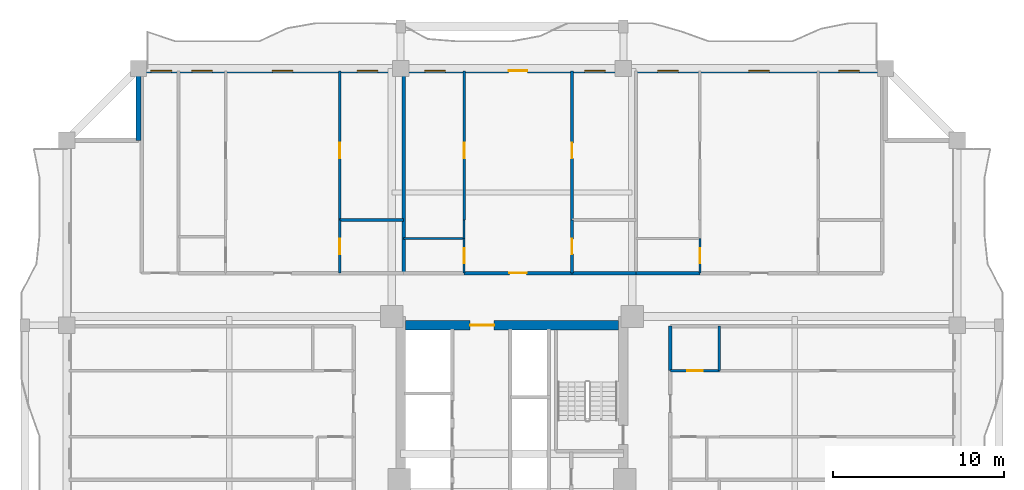
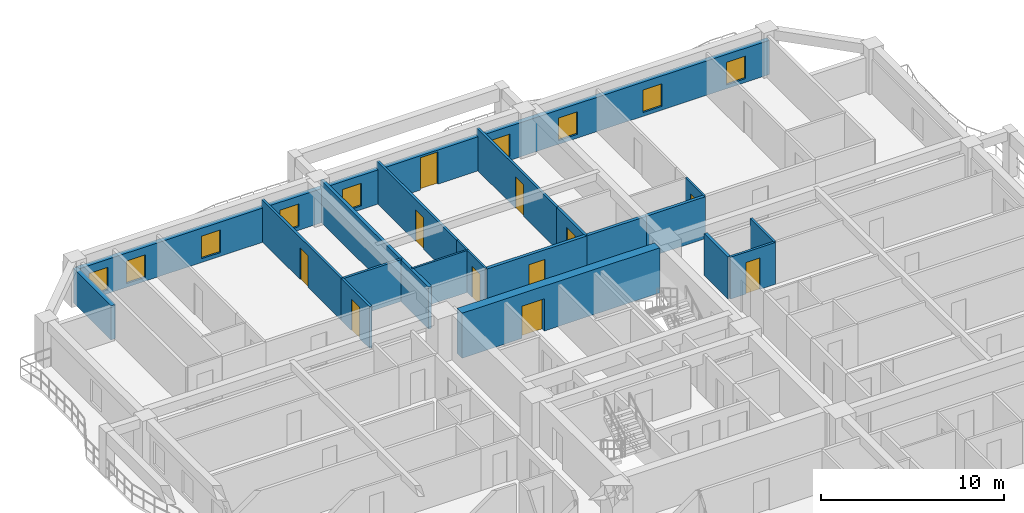
# One storey, part 7 of 15: 20 walls, 11 doors, 9 windows, 20 openings.
"""IFC4 building model written with IfcOpenShell, lengths in metres."""

from ifc_helpers import new_model, si_unit, direction, frame, frame_2d, origin, place, context, subcontext, project, spatial, rectangle, extrude, source, transform, mapped, material, layer, layer_set, type_object, element, fill, save


model = new_model("IFC4")

# Units and contexts
model_context = context("Model", 3, precision=1e-05, world=origin(), true_north=direction((0.0, 1.0)))
body_context = subcontext(model_context, "Body", "Model", "MODEL_VIEW")
ifc_project = project(units=[si_unit("LENGTHUNIT", "METRE"), si_unit("AREAUNIT", "SQUARE_METRE"), si_unit("VOLUMEUNIT", "CUBIC_METRE"), si_unit("PLANEANGLEUNIT", "RADIAN"), si_unit("MASSUNIT", "GRAM", prefix="KILO")], contexts=[model_context])

# Site, building, storey
site_placement = place(None, origin())
site = spatial("IfcSite", under=ifc_project, at=site_placement, CompositionType="ELEMENT")
building_placement = place(site_placement, origin())
building = spatial("IfcBuilding", under=site, at=building_placement, Name="Saelheon Loggia Tower", CompositionType="ELEMENT")
storey_placement = place(building_placement, frame((0.0, 0.0, 77.85009765625)))
storey = spatial("IfcBuildingStorey", under=building, at=storey_placement, Name="L24", CompositionType="ELEMENT", Elevation=77.85009765625)

# Wall, opening, door
ifc_material_1 = material(Name="Concrete C50/60", Category="concrete")
ifc_layer_1 = layer(ifc_material_1, 0.550048828125)
ifc_layer_set_1 = layer_set([ifc_layer_1], Name="Concrete C50/60")
wall_type_1 = type_object("IfcWallType", Name="Wall_CoreShear_550", PredefinedType="SHEAR", material=ifc_layer_set_1)
wall_1_placement = place(storey_placement, frame((31.77490234375, 36.0, 0.0), z_axis=(0.0, 0.0, 1.0), x_axis=(1.0, 0.0, 0.0)))
wall_1 = element("IfcWall", 1, at=wall_1_placement, inside=storey, type_object=wall_type_1, Name="L24 Core Shear Wall North", PredefinedType="SHEAR", context=body_context, shape_type="SweptSolid", body=[
    extrude(rectangle(XDim=12.4501953125, YDim=0.550048828125, at=frame_2d((6.22509765625, 0.0))), origin(), (0.0, 0.0, 1.0), 3.0),
])
opening_1_placement = place(wall_1_placement, frame((5.1748046875, 0.0, 0.0), z_axis=(0.0, 0.0, 1.0), x_axis=(-1.0, 0.0, 0.0)))
opening_1 = element("IfcOpeningElement", 2, at=opening_1_placement, cuts=wall_1, Name="Opening D-FD2L", PredefinedType="OPENING", context=body_context, shape_type="SweptSolid", body=[
    extrude(rectangle(XDim=1.39990234375, YDim=2.14990234375, at=frame_2d((0.699951171875, 1.074951171875))), frame((0.0, 0.287109375, 0.0), z_axis=(0.0, -1.0, 0.0), x_axis=(1.0, 0.0, 0.0)), (0.0, 0.0, 1.0), 0.573974609375),
])
ifc_material_2 = material(Name="Galvanised Steel Glazed Lobby Fire Door", Category="steel")
door_type_1 = type_object("IfcDoorType", Name="Door_Fire_FD60_1400", OperationType="NOTDEFINED", PredefinedType="DOOR", material=ifc_material_2)
shared_shape_1 = source(origin(), body_context, "Body", "SweptSolid", [
    extrude(rectangle(XDim=1.39990234375, YDim=2.14990234375, at=frame_2d((0.699951171875, 1.074951171875))), frame((0.0, 0.02490234375, 0.0), z_axis=(0.0, -1.0, 0.0), x_axis=(1.0, 0.0, 0.0)), (0.0, 0.0, 1.0), 0.050048828125),
])
door_1_placement = place(opening_1_placement, origin())
door_1 = element("IfcDoor", 3, at=door_1_placement, inside=storey, type_object=door_type_1, Name="L24 Passenger Lift Lobby Main Door", OperationType="SINGLE_SWING_RIGHT", OverallHeight=2.14990234375, OverallWidth=1.39990234375, PredefinedType="DOOR", context=body_context, shape_type="MappedRepresentation", body=[
    mapped(shared_shape_1, transform((0.0, 0.0, 0.0), scale=1.0)),
])
fill(opening_1, door_1)

# Wall, openings, windows, door
ifc_material_3 = material(Name="Architectural Precast Concrete C40/50", Category="concrete")
ifc_layer_2 = layer(ifc_material_3, 0.280029296875)
ifc_layer_set_2 = layer_set([ifc_layer_2], Name="Architectural Precast Concrete C40/50")
wall_type_2 = type_object("IfcWallType", Name="Wall_Ext_Loggia_280", PredefinedType="SOLIDWALL", material=ifc_layer_set_2)
wall_2_placement = place(storey_placement, frame((16.199951171875, 50.860107421875, 0.0), z_axis=(0.0, 0.0, 1.0), x_axis=(1.0, 0.0, 0.0)))
wall_2 = element("IfcWall", 4, at=wall_2_placement, inside=storey, type_object=wall_type_2, Name="L24 North Loggia Inner Wall", PredefinedType="SOLIDWALL", context=body_context, shape_type="SweptSolid", body=[
    extrude(rectangle(XDim=43.60009765625, YDim=0.280029296875, at=frame_2d((21.800048828125, 0.0))), origin(), (0.0, 0.0, 1.0), 2.27978515625),
])
opening_2_placement = place(wall_2_placement, frame((0.722412109375, 0.0, 0.25)))
opening_2 = element("IfcOpeningElement", 5, at=opening_2_placement, cuts=wall_2, Name="Opening WN-03", PredefinedType="OPENING", context=body_context, shape_type="SweptSolid", body=[
    extrude(rectangle(XDim=1.199951171875, YDim=1.5, at=frame_2d((0.60009765625, 0.75))), frame((0.0, 0.152099609375, 0.0), z_axis=(0.0, -1.0, 0.0), x_axis=(1.0, 0.0, 0.0)), (0.0, 0.0, 1.0), 0.303955078125),
])
opening_3_placement = place(wall_2_placement, frame((3.10498046875, 0.0, 0.25)))
opening_3 = element("IfcOpeningElement", 6, at=opening_3_placement, cuts=wall_2, Name="Opening WN-03", PredefinedType="OPENING", context=body_context, shape_type="SweptSolid", body=[
    extrude(rectangle(XDim=1.199951171875, YDim=1.5, at=frame_2d((0.60009765625, 0.75))), frame((0.0, 0.152099609375, 0.0), z_axis=(0.0, -1.0, 0.0), x_axis=(1.0, 0.0, 0.0)), (0.0, 0.0, 1.0), 0.303955078125),
])
opening_4_placement = place(wall_2_placement, frame((7.8115234375, 0.0, 0.25)))
opening_4 = element("IfcOpeningElement", 7, at=opening_4_placement, cuts=wall_2, Name="Opening WN-03", PredefinedType="OPENING", context=body_context, shape_type="SweptSolid", body=[
    extrude(rectangle(XDim=1.199951171875, YDim=1.5, at=frame_2d((0.60009765625, 0.75))), frame((0.0, 0.152099609375, 0.0), z_axis=(0.0, -1.0, 0.0), x_axis=(1.0, 0.0, 0.0)), (0.0, 0.0, 1.0), 0.303955078125),
])
opening_5_placement = place(wall_2_placement, frame((12.76416015625, 0.0, 0.25)))
opening_5 = element("IfcOpeningElement", 8, at=opening_5_placement, cuts=wall_2, Name="Opening WN-03", PredefinedType="OPENING", context=body_context, shape_type="SweptSolid", body=[
    extrude(rectangle(XDim=1.199951171875, YDim=1.5, at=frame_2d((0.60009765625, 0.75))), frame((0.0, 0.152099609375, 0.0), z_axis=(0.0, -1.0, 0.0), x_axis=(1.0, 0.0, 0.0)), (0.0, 0.0, 1.0), 0.303955078125),
])
opening_6_placement = place(wall_2_placement, frame((16.709716796875, 0.0, 0.25)))
opening_6 = element("IfcOpeningElement", 9, at=opening_6_placement, cuts=wall_2, Name="Opening WN-03", PredefinedType="OPENING", context=body_context, shape_type="SweptSolid", body=[
    extrude(rectangle(XDim=1.199951171875, YDim=1.5, at=frame_2d((0.60009765625, 0.75))), frame((0.0, 0.152099609375, 0.0), z_axis=(0.0, -1.0, 0.0), x_axis=(1.0, 0.0, 0.0)), (0.0, 0.0, 1.0), 0.303955078125),
])
opening_7_placement = place(wall_2_placement, frame((21.603515625, 0.0, 0.0)))
opening_7 = element("IfcOpeningElement", 10, at=opening_7_placement, cuts=wall_2, Name="Opening TD1", PredefinedType="OPENING", context=body_context, shape_type="SweptSolid", body=[
    extrude(rectangle(XDim=1.10009765625, YDim=2.14990234375, at=frame_2d((0.550048828125, 1.074951171875))), frame((0.0, 0.152099609375, 0.0), z_axis=(0.0, -1.0, 0.0), x_axis=(1.0, 0.0, 0.0)), (0.0, 0.0, 1.0), 0.303955078125),
])
opening_8_placement = place(wall_2_placement, frame((26.0439453125, 0.0, 0.25)))
opening_8 = element("IfcOpeningElement", 11, at=opening_8_placement, cuts=wall_2, Name="Opening WN-03", PredefinedType="OPENING", context=body_context, shape_type="SweptSolid", body=[
    extrude(rectangle(XDim=1.199951171875, YDim=1.5, at=frame_2d((0.60009765625, 0.75))), frame((0.0, 0.152099609375, 0.0), z_axis=(0.0, -1.0, 0.0), x_axis=(1.0, 0.0, 0.0)), (0.0, 0.0, 1.0), 0.303955078125),
])
opening_9_placement = place(wall_2_placement, frame((30.306396484375, 0.0, 0.25)))
opening_9 = element("IfcOpeningElement", 12, at=opening_9_placement, cuts=wall_2, Name="Opening WN-03", PredefinedType="OPENING", context=body_context, shape_type="SweptSolid", body=[
    extrude(rectangle(XDim=1.199951171875, YDim=1.5, at=frame_2d((0.60009765625, 0.75))), frame((0.0, 0.152099609375, 0.0), z_axis=(0.0, -1.0, 0.0), x_axis=(1.0, 0.0, 0.0)), (0.0, 0.0, 1.0), 0.303955078125),
])
opening_10_placement = place(wall_2_placement, frame((35.629150390625, 0.0, 0.25)))
opening_10 = element("IfcOpeningElement", 13, at=opening_10_placement, cuts=wall_2, Name="Opening WN-03", PredefinedType="OPENING", context=body_context, shape_type="SweptSolid", body=[
    extrude(rectangle(XDim=1.199951171875, YDim=1.5, at=frame_2d((0.60009765625, 0.75))), frame((0.0, 0.152099609375, 0.0), z_axis=(0.0, -1.0, 0.0), x_axis=(1.0, 0.0, 0.0)), (0.0, 0.0, 1.0), 0.303955078125),
])
opening_11_placement = place(wall_2_placement, frame((40.884765625, 0.0, 0.25)))
opening_11 = element("IfcOpeningElement", 14, at=opening_11_placement, cuts=wall_2, Name="Opening WN-03", PredefinedType="OPENING", context=body_context, shape_type="SweptSolid", body=[
    extrude(rectangle(XDim=1.199951171875, YDim=1.5, at=frame_2d((0.60009765625, 0.75))), frame((0.0, 0.152099609375, 0.0), z_axis=(0.0, -1.0, 0.0), x_axis=(1.0, 0.0, 0.0)), (0.0, 0.0, 1.0), 0.303955078125),
])
ifc_material_4 = material(Name="Thermal-Break Aluminium and Triple Low-E Glass", Category="aluminium")
window_type = type_object("IfcWindowType", Name="Win_Bedroom_1200x1500", PartitioningType="SINGLE_PANEL", PredefinedType="WINDOW", material=ifc_material_4)
shared_shape_2 = source(origin(), body_context, "Body", "SweptSolid", [
    extrude(rectangle(XDim=1.199951171875, YDim=1.5, at=frame_2d((0.60009765625, 0.75))), frame((0.0, 0.030029296875, 0.0), z_axis=(0.0, -1.0, 0.0), x_axis=(1.0, 0.0, 0.0)), (0.0, 0.0, 1.0), 0.06005859375),
])
window_1_placement = place(opening_2_placement, origin())
window_1 = element("IfcWindow", 15, at=window_1_placement, inside=storey, type_object=window_type, Name="L24 N Dwelling Window 1", OverallHeight=1.5, OverallWidth=1.199951171875, PartitioningType="SINGLE_PANEL", PredefinedType="WINDOW", context=body_context, shape_type="MappedRepresentation", body=[
    mapped(shared_shape_2, transform((0.0, 0.0, 0.0), scale=1.0)),
])
fill(opening_2, window_1)
window_2_placement = place(opening_3_placement, origin())
window_2 = element("IfcWindow", 16, at=window_2_placement, inside=storey, type_object=window_type, Name="L24 N Dwelling Window 2", OverallHeight=1.5, OverallWidth=1.199951171875, PartitioningType="SINGLE_PANEL", PredefinedType="WINDOW", context=body_context, shape_type="MappedRepresentation", body=[
    mapped(shared_shape_2, transform((0.0, 0.0, 0.0), scale=1.0)),
])
fill(opening_3, window_2)
window_3_placement = place(opening_4_placement, origin())
window_3 = element("IfcWindow", 17, at=window_3_placement, inside=storey, type_object=window_type, Name="L24 N Dwelling Window 3", OverallHeight=1.5, OverallWidth=1.199951171875, PartitioningType="SINGLE_PANEL", PredefinedType="WINDOW", context=body_context, shape_type="MappedRepresentation", body=[
    mapped(shared_shape_2, transform((0.0, 0.0, 0.0), scale=1.0)),
])
fill(opening_4, window_3)
window_4_placement = place(opening_5_placement, origin())
window_4 = element("IfcWindow", 18, at=window_4_placement, inside=storey, type_object=window_type, Name="L24 N Dwelling Window 4", OverallHeight=1.5, OverallWidth=1.199951171875, PartitioningType="SINGLE_PANEL", PredefinedType="WINDOW", context=body_context, shape_type="MappedRepresentation", body=[
    mapped(shared_shape_2, transform((0.0, 0.0, 0.0), scale=1.0)),
])
fill(opening_5, window_4)
window_5_placement = place(opening_6_placement, origin())
window_5 = element("IfcWindow", 19, at=window_5_placement, inside=storey, type_object=window_type, Name="L24 N Dwelling Window 5", OverallHeight=1.5, OverallWidth=1.199951171875, PartitioningType="SINGLE_PANEL", PredefinedType="WINDOW", context=body_context, shape_type="MappedRepresentation", body=[
    mapped(shared_shape_2, transform((0.0, 0.0, 0.0), scale=1.0)),
])
fill(opening_6, window_5)
window_6_placement = place(opening_8_placement, origin())
window_6 = element("IfcWindow", 20, at=window_6_placement, inside=storey, type_object=window_type, Name="L24 N Dwelling Window 7", OverallHeight=1.5, OverallWidth=1.199951171875, PartitioningType="SINGLE_PANEL", PredefinedType="WINDOW", context=body_context, shape_type="MappedRepresentation", body=[
    mapped(shared_shape_2, transform((0.0, 0.0, 0.0), scale=1.0)),
])
fill(opening_8, window_6)
window_7_placement = place(opening_9_placement, origin())
window_7 = element("IfcWindow", 21, at=window_7_placement, inside=storey, type_object=window_type, Name="L24 N Dwelling Window 8", OverallHeight=1.5, OverallWidth=1.199951171875, PartitioningType="SINGLE_PANEL", PredefinedType="WINDOW", context=body_context, shape_type="MappedRepresentation", body=[
    mapped(shared_shape_2, transform((0.0, 0.0, 0.0), scale=1.0)),
])
fill(opening_9, window_7)
window_8_placement = place(opening_10_placement, origin())
window_8 = element("IfcWindow", 22, at=window_8_placement, inside=storey, type_object=window_type, Name="L24 N Dwelling Window 9", OverallHeight=1.5, OverallWidth=1.199951171875, PartitioningType="SINGLE_PANEL", PredefinedType="WINDOW", context=body_context, shape_type="MappedRepresentation", body=[
    mapped(shared_shape_2, transform((0.0, 0.0, 0.0), scale=1.0)),
])
fill(opening_10, window_8)
window_9_placement = place(opening_11_placement, origin())
window_9 = element("IfcWindow", 23, at=window_9_placement, inside=storey, type_object=window_type, Name="L24 N Dwelling Window 10", OverallHeight=1.5, OverallWidth=1.199951171875, PartitioningType="SINGLE_PANEL", PredefinedType="WINDOW", context=body_context, shape_type="MappedRepresentation", body=[
    mapped(shared_shape_2, transform((0.0, 0.0, 0.0), scale=1.0)),
])
fill(opening_11, window_9)
ifc_material_5 = material(Name="Thermal-Break Aluminium Glazed Door", Category="aluminium")
door_type_2 = type_object("IfcDoorType", Name="Door_Terrace_TD1", OperationType="NOTDEFINED", PredefinedType="DOOR", material=ifc_material_5)
shared_shape_3 = source(origin(), body_context, "Body", "SweptSolid", [
    extrude(rectangle(XDim=1.10009765625, YDim=2.14990234375, at=frame_2d((0.550048828125, 1.074951171875))), frame((0.0, 0.02490234375, 0.0), z_axis=(0.0, -1.0, 0.0), x_axis=(1.0, 0.0, 0.0)), (0.0, 0.0, 1.0), 0.050048828125),
])
door_2_placement = place(opening_7_placement, origin())
door_2 = element("IfcDoor", 24, at=door_2_placement, inside=storey, type_object=door_type_2, Name="L24 N Loggia Access Door", OperationType="SINGLE_SWING_RIGHT", OverallHeight=2.14990234375, OverallWidth=1.10009765625, PredefinedType="DOOR", context=body_context, shape_type="MappedRepresentation", body=[
    mapped(shared_shape_3, transform((0.0, 0.0, 0.0), scale=1.0)),
])
fill(opening_7, door_2)

# Walls
wall_3_placement = place(storey_placement, frame((16.199951171875, 46.800048828125, 0.0), z_axis=(0.0, 0.0, 1.0), x_axis=(0.0, 1.0, 0.0)))
element("IfcWall", 25, at=wall_3_placement, inside=storey, type_object=wall_type_2, Name="L24 Corner Notch Precast Wall NW1", PredefinedType="SOLIDWALL", context=body_context, shape_type="SweptSolid", body=[
    extrude(rectangle(XDim=4.119873046875, YDim=0.280029296875, at=frame_2d((2.06005859375, 0.0))), origin(), (0.0, 0.0, 1.0), 2.27978515625),
])
ifc_material_6 = material(Name="Lightweight Autoclaved Aerated Concrete Block and Acoustic Gypsum", Category="concrete")
ifc_layer_3 = layer(ifc_material_6, 0.14990234375)
ifc_layer_set_3 = layer_set([ifc_layer_3], Name="Lightweight Autoclaved Aerated Concrete Block and Acoustic Gypsum")
wall_type_3 = type_object("IfcWallType", Name="Wall_Part_150", PredefinedType="PARTITIONING", material=ifc_layer_set_3)
wall_4_placement = place(storey_placement, frame((27.943115234375, 42.14990234375, 0.0), z_axis=(0.0, 0.0, 1.0), x_axis=(1.0, 0.0, 0.0)))
element("IfcWall", 26, at=wall_4_placement, inside=storey, type_object=wall_type_3, Name="L24 N Partition V09", PredefinedType="PARTITIONING", context=body_context, shape_type="SweptSolid", body=[
    extrude(rectangle(XDim=3.735595703125, YDim=0.14990234375, at=frame_2d((1.86767578125, 0.0))), origin(), (0.0, 0.0, 1.0), 2.789794921875),
])

# Wall, opening, door
wall_5_placement = place(storey_placement, frame((27.943115234375, 39.050048828125, 0.0), z_axis=(0.0, 0.0, 1.0), x_axis=(0.0, 1.0, 0.0)))
wall_5 = element("IfcWall", 27, at=wall_5_placement, inside=storey, type_object=wall_type_3, Name="L24 N Partition U13", PredefinedType="PARTITIONING", context=body_context, shape_type="SweptSolid", body=[
    extrude(rectangle(XDim=3.099853515625, YDim=0.14990234375, at=frame_2d((1.5498046875, 0.0))), origin(), (0.0, 0.0, 1.0), 2.789794921875),
])
opening_12_placement = place(wall_5_placement, frame((1.10009765625, 0.0, 0.0)))
opening_12 = element("IfcOpeningElement", 28, at=opening_12_placement, cuts=wall_5, Name="Opening D-IN2", PredefinedType="OPENING", context=body_context, shape_type="SweptSolid", body=[
    extrude(rectangle(XDim=0.89990234375, YDim=2.10009765625, at=frame_2d((0.449951171875, 1.050048828125))), frame((0.0, 0.0869140625, 0.0), z_axis=(0.0, -1.0, 0.0), x_axis=(1.0, 0.0, 0.0)), (0.0, 0.0, 1.0), 0.173828125),
])
ifc_material_7 = material(Name="Engineered Oak Flush Door", Category="timber")
door_type_3 = type_object("IfcDoorType", Name="Door_Int_900", OperationType="NOTDEFINED", PredefinedType="DOOR", material=ifc_material_7)
shared_shape_4 = source(origin(), body_context, "Body", "SweptSolid", [
    extrude(rectangle(XDim=0.89990234375, YDim=2.10009765625, at=frame_2d((0.449951171875, 1.050048828125))), frame((0.0, 0.02490234375, 0.0), z_axis=(0.0, -1.0, 0.0), x_axis=(1.0, 0.0, 0.0)), (0.0, 0.0, 1.0), 0.050048828125),
])
door_3_placement = place(opening_12_placement, origin())
door_3 = element("IfcDoor", 29, at=door_3_placement, inside=storey, type_object=door_type_3, Name="Unit U05 Private Study Door", OperationType="SINGLE_SWING_RIGHT", OverallHeight=2.10009765625, OverallWidth=0.89990234375, PredefinedType="DOOR", context=body_context, shape_type="MappedRepresentation", body=[
    mapped(shared_shape_4, transform((0.0, 0.0, 0.0), scale=1.0)),
])
fill(opening_12, door_3)

wall_6_placement = place(storey_placement, frame((27.943115234375, 42.14990234375, 0.0), z_axis=(0.0, 0.0, 1.0), x_axis=(0.0, 1.0, 0.0)))
wall_6 = element("IfcWall", 30, at=wall_6_placement, inside=storey, type_object=wall_type_3, Name="L24 N Partition U14", PredefinedType="PARTITIONING", context=body_context, shape_type="SweptSolid", body=[
    extrude(rectangle(XDim=8.7001953125, YDim=0.14990234375, at=frame_2d((4.35009765625, 0.0))), origin(), (0.0, 0.0, 1.0), 2.789794921875),
])
opening_13_placement = place(wall_6_placement, frame((3.594970703125, 0.0, 0.0)))
opening_13 = element("IfcOpeningElement", 31, at=opening_13_placement, cuts=wall_6, Name="Opening D-IN2", PredefinedType="OPENING", context=body_context, shape_type="SweptSolid", body=[
    extrude(rectangle(XDim=0.89990234375, YDim=2.10009765625, at=frame_2d((0.449951171875, 1.050048828125))), frame((0.0, 0.0869140625, 0.0), z_axis=(0.0, -1.0, 0.0), x_axis=(1.0, 0.0, 0.0)), (0.0, 0.0, 1.0), 0.173828125),
])
door_4_placement = place(opening_13_placement, origin())
door_4 = element("IfcDoor", 32, at=door_4_placement, inside=storey, type_object=door_type_3, Name="Unit U05 Bedroom 1 Door", OperationType="SINGLE_SWING_LEFT", OverallHeight=2.10009765625, OverallWidth=0.89990234375, PredefinedType="DOOR", context=body_context, shape_type="MappedRepresentation", body=[
    mapped(shared_shape_4, transform((0.0, 0.0, 0.0), scale=1.0)),
])
fill(opening_13, door_4)

wall_7_placement = place(storey_placement, frame((35.204345703125, 42.14990234375, 0.0), z_axis=(0.0, 0.0, 1.0), x_axis=(0.0, 1.0, 0.0)))
wall_7 = element("IfcWall", 33, at=wall_7_placement, inside=storey, type_object=wall_type_3, Name="L24 N Partition U23", PredefinedType="PARTITIONING", context=body_context, shape_type="SweptSolid", body=[
    extrude(rectangle(XDim=8.7001953125, YDim=0.14990234375, at=frame_2d((4.35009765625, 0.0))), origin(), (0.0, 0.0, 1.0), 2.789794921875),
])
opening_14_placement = place(wall_7_placement, frame((3.594970703125, 0.0, 0.0)))
opening_14 = element("IfcOpeningElement", 34, at=opening_14_placement, cuts=wall_7, Name="Opening D-IN2", PredefinedType="OPENING", context=body_context, shape_type="SweptSolid", body=[
    extrude(rectangle(XDim=0.89990234375, YDim=2.10009765625, at=frame_2d((0.449951171875, 1.050048828125))), frame((0.0, 0.0869140625, 0.0), z_axis=(0.0, -1.0, 0.0), x_axis=(1.0, 0.0, 0.0)), (0.0, 0.0, 1.0), 0.173828125),
])
door_5_placement = place(opening_14_placement, origin())
door_5 = element("IfcDoor", 35, at=door_5_placement, inside=storey, type_object=door_type_3, Name="Unit U06 Bedroom 2 Door", OperationType="SINGLE_SWING_RIGHT", OverallHeight=2.10009765625, OverallWidth=0.89990234375, PredefinedType="DOOR", context=body_context, shape_type="MappedRepresentation", body=[
    mapped(shared_shape_4, transform((0.0, 0.0, 0.0), scale=1.0)),
])
fill(opening_14, door_5)

wall_8_placement = place(storey_placement, frame((41.5029296875, 39.050048828125, 0.0), z_axis=(0.0, 0.0, 1.0), x_axis=(0.0, 1.0, 0.0)))
wall_8 = element("IfcWall", 36, at=wall_8_placement, inside=storey, type_object=wall_type_3, Name="L24 N Partition U24", PredefinedType="PARTITIONING", context=body_context, shape_type="SweptSolid", body=[
    extrude(rectangle(XDim=3.099853515625, YDim=0.14990234375, at=frame_2d((1.5498046875, 0.0))), origin(), (0.0, 0.0, 1.0), 2.789794921875),
])
opening_15_placement = place(wall_8_placement, frame((1.10009765625, 0.0, 0.0)))
opening_15 = element("IfcOpeningElement", 37, at=opening_15_placement, cuts=wall_8, Name="Opening D-IN2", PredefinedType="OPENING", context=body_context, shape_type="SweptSolid", body=[
    extrude(rectangle(XDim=0.89990234375, YDim=2.10009765625, at=frame_2d((0.449951171875, 1.050048828125))), frame((0.0, 0.0869140625, 0.0), z_axis=(0.0, -1.0, 0.0), x_axis=(1.0, 0.0, 0.0)), (0.0, 0.0, 1.0), 0.173828125),
])
door_6_placement = place(opening_15_placement, origin())
door_6 = element("IfcDoor", 38, at=door_6_placement, inside=storey, type_object=door_type_3, Name="Unit U06 Kitchen Door", OperationType="SINGLE_SWING_LEFT", OverallHeight=2.10009765625, OverallWidth=0.89990234375, PredefinedType="DOOR", context=body_context, shape_type="MappedRepresentation", body=[
    mapped(shared_shape_4, transform((0.0, 0.0, 0.0), scale=1.0)),
])
fill(opening_15, door_6)

wall_9_placement = place(storey_placement, frame((41.5029296875, 42.14990234375, 0.0), z_axis=(0.0, 0.0, 1.0), x_axis=(0.0, 1.0, 0.0)))
wall_9 = element("IfcWall", 39, at=wall_9_placement, inside=storey, type_object=wall_type_3, Name="L24 N Partition U25", PredefinedType="PARTITIONING", context=body_context, shape_type="SweptSolid", body=[
    extrude(rectangle(XDim=8.7001953125, YDim=0.14990234375, at=frame_2d((4.35009765625, 0.0))), origin(), (0.0, 0.0, 1.0), 2.789794921875),
])
opening_16_placement = place(wall_9_placement, frame((3.594970703125, 0.0, 0.0)))
opening_16 = element("IfcOpeningElement", 40, at=opening_16_placement, cuts=wall_9, Name="Opening D-IN2", PredefinedType="OPENING", context=body_context, shape_type="SweptSolid", body=[
    extrude(rectangle(XDim=0.89990234375, YDim=2.10009765625, at=frame_2d((0.449951171875, 1.050048828125))), frame((0.0, 0.0869140625, 0.0), z_axis=(0.0, -1.0, 0.0), x_axis=(1.0, 0.0, 0.0)), (0.0, 0.0, 1.0), 0.173828125),
])
door_7_placement = place(opening_16_placement, origin())
door_7 = element("IfcDoor", 41, at=door_7_placement, inside=storey, type_object=door_type_3, Name="Unit U06 Bedroom 1 Door", OperationType="SINGLE_SWING_RIGHT", OverallHeight=2.10009765625, OverallWidth=0.89990234375, PredefinedType="DOOR", context=body_context, shape_type="MappedRepresentation", body=[
    mapped(shared_shape_4, transform((0.0, 0.0, 0.0), scale=1.0)),
])
fill(opening_16, door_7)

# Wall
wall_10_placement = place(storey_placement, frame((50.110107421875, 33.35009765625, 0.0), z_axis=(0.0, 0.0, 1.0), x_axis=(0.0, 1.0, 0.0)))
element("IfcWall", 42, at=wall_10_placement, inside=storey, type_object=wall_type_3, Name="L24 E Partition V18", PredefinedType="PARTITIONING", context=body_context, shape_type="SweptSolid", body=[
    extrude(rectangle(XDim=2.599853515625, YDim=0.14990234375, at=frame_2d((1.2998046875, 0.0))), origin(), (0.0, 0.0, 1.0), 2.789794921875),
])

# Wall, opening, door
wall_11_placement = place(storey_placement, frame((47.25, 33.35009765625, 0.0), z_axis=(0.0, 0.0, 1.0), x_axis=(1.0, 0.0, 0.0)))
wall_11 = element("IfcWall", 43, at=wall_11_placement, inside=storey, type_object=wall_type_3, Name="L24 E Partition U22", PredefinedType="PARTITIONING", context=body_context, shape_type="SweptSolid", body=[
    extrude(rectangle(XDim=2.860107421875, YDim=0.14990234375, at=frame_2d((1.43017578125, 0.0))), origin(), (0.0, 0.0, 1.0), 2.789794921875),
])
opening_17_placement = place(wall_11_placement, frame((0.97998046875, 0.0, 0.0)))
opening_17 = element("IfcOpeningElement", 44, at=opening_17_placement, cuts=wall_11, Name="Opening D-IN2", PredefinedType="OPENING", context=body_context, shape_type="SweptSolid", body=[
    extrude(rectangle(XDim=0.89990234375, YDim=2.10009765625, at=frame_2d((0.449951171875, 1.050048828125))), frame((0.0, 0.0869140625, 0.0), z_axis=(0.0, -1.0, 0.0), x_axis=(1.0, 0.0, 0.0)), (0.0, 0.0, 1.0), 0.173828125),
])
door_8_placement = place(opening_17_placement, origin())
door_8 = element("IfcDoor", 45, at=door_8_placement, inside=storey, type_object=door_type_3, Name="Unit U11 Dressing Closet Door", OperationType="SINGLE_SWING_RIGHT", OverallHeight=2.10009765625, OverallWidth=0.89990234375, PredefinedType="DOOR", context=body_context, shape_type="MappedRepresentation", body=[
    mapped(shared_shape_4, transform((0.0, 0.0, 0.0), scale=1.0)),
])
fill(opening_17, door_8)

# Wall
ifc_material_8 = material(Name="Double Acoustic Stud and Fireboard Partition", Category="gypsum")
ifc_layer_4 = layer(ifc_material_8, 0.199951171875)
ifc_layer_set_4 = layer_set([ifc_layer_4], Name="Double Acoustic Stud and Fireboard Partition")
wall_type_4 = type_object("IfcWallType", Name="Wall_Party_200", PredefinedType="PARTITIONING", material=ifc_layer_set_4)
wall_12_placement = place(storey_placement, frame((31.6787109375, 39.050048828125, 0.0), z_axis=(0.0, 0.0, 1.0), x_axis=(0.0, 1.0, 0.0)))
element("IfcWall", 46, at=wall_12_placement, inside=storey, type_object=wall_type_4, Name="L24 N Partition U15", PredefinedType="PARTITIONING", context=body_context, shape_type="SweptSolid", body=[
    extrude(rectangle(XDim=11.800048828125, YDim=0.199951171875, at=frame_2d((5.89990234375, 0.0))), origin(), (0.0, 0.0, 1.0), 2.789794921875),
])

# Wall, opening, door
wall_13_placement = place(storey_placement, frame((35.204345703125, 39.050048828125, 0.0), z_axis=(0.0, 0.0, 1.0), x_axis=(1.0, 0.0, 0.0)))
wall_13 = element("IfcWall", 47, at=wall_13_placement, inside=storey, type_object=wall_type_4, Name="L24 N Partition V17", PredefinedType="PARTITIONING", context=body_context, shape_type="SweptSolid", body=[
    extrude(rectangle(XDim=6.298583984375, YDim=0.199951171875, at=frame_2d((3.1494140625, 0.0))), origin(), (0.0, 0.0, 1.0), 2.789794921875),
])
opening_18_placement = place(wall_13_placement, frame((2.6494140625, 0.0, 0.0)))
opening_18 = element("IfcOpeningElement", 48, at=opening_18_placement, cuts=wall_13, Name="Opening D-FD1", PredefinedType="OPENING", context=body_context, shape_type="SweptSolid", body=[
    extrude(rectangle(XDim=1.0, YDim=2.14990234375, at=frame_2d((0.5, 1.074951171875))), frame((0.0, 0.112060546875, 0.0), z_axis=(0.0, -1.0, 0.0), x_axis=(1.0, 0.0, 0.0)), (0.0, 0.0, 1.0), 0.223876953125),
])
ifc_material_9 = material(Name="Fire-Rated Engineered Timber Entrance Door", Category="wood")
door_type_4 = type_object("IfcDoorType", Name="Door_Flat_FD30S", OperationType="NOTDEFINED", PredefinedType="DOOR", material=ifc_material_9)
shared_shape_5 = source(origin(), body_context, "Body", "SweptSolid", [
    extrude(rectangle(XDim=1.0, YDim=2.14990234375, at=frame_2d((0.5, 1.074951171875))), frame((0.0, 0.02490234375, 0.0), z_axis=(0.0, -1.0, 0.0), x_axis=(1.0, 0.0, 0.0)), (0.0, 0.0, 1.0), 0.050048828125),
])
door_9_placement = place(opening_18_placement, origin())
door_9 = element("IfcDoor", 49, at=door_9_placement, inside=storey, type_object=door_type_4, Name="Unit U06 Entrance Door", OperationType="SINGLE_SWING_RIGHT", OverallHeight=2.14990234375, OverallWidth=1.0, PredefinedType="DOOR", context=body_context, shape_type="MappedRepresentation", body=[
    mapped(shared_shape_5, transform((0.0, 0.0, 0.0), scale=1.0)),
])
fill(opening_18, door_9)

# Walls
for number, where, z_axis, x_axis, name in (
    (50, (41.5029296875, 39.050048828125, 0.0), (0.0, 0.0, 1.0), (1.0, 0.0, 0.0), "L24 N Partition V18"),
    (51, (45.238525390625, 39.050048828125, 0.0), (0.0, 0.0, 1.0), (1.0, 0.0, 0.0), "L24 N Partition V27"),
):
    element("IfcWall", number, at=place(storey_placement, frame(where, z_axis=z_axis, x_axis=x_axis)), inside=storey, type_object=wall_type_4, Name=name, PredefinedType="PARTITIONING", context=body_context, shape_type="SweptSolid", body=[
        extrude(rectangle(XDim=3.735595703125, YDim=0.199951171875, at=frame_2d((1.86767578125, 0.0))), origin(), (0.0, 0.0, 1.0), 2.789794921875),
    ])
wall_14_placement = place(storey_placement, frame((47.25, 33.35009765625, 0.0), z_axis=(0.0, 0.0, 1.0), x_axis=(0.0, 1.0, 0.0)))
element("IfcWall", 52, at=wall_14_placement, inside=storey, type_object=wall_type_4, Name="L24 E Partition V16", PredefinedType="PARTITIONING", context=body_context, shape_type="SweptSolid", body=[
    extrude(rectangle(XDim=2.599853515625, YDim=0.199951171875, at=frame_2d((1.2998046875, 0.0))), origin(), (0.0, 0.0, 1.0), 2.789794921875),
])
ifc_material_10 = material(Name="Moisture-Resistant Cement Board Partition", Category="gypsum")
ifc_layer_5 = layer(ifc_material_10, 0.1201171875)
ifc_layer_set_5 = layer_set([ifc_layer_5], Name="Moisture-Resistant Cement Board Partition")
wall_type_5 = type_object("IfcWallType", Name="Wall_WetPart_120", PredefinedType="PARTITIONING", material=ifc_layer_set_5)
wall_15_placement = place(storey_placement, frame((31.6787109375, 41.070068359375, 0.0), z_axis=(0.0, 0.0, 1.0), x_axis=(1.0, 0.0, 0.0)))
element("IfcWall", 53, at=wall_15_placement, inside=storey, type_object=wall_type_5, Name="L24 N Partition V19", PredefinedType="PARTITIONING", context=body_context, shape_type="SweptSolid", body=[
    extrude(rectangle(XDim=3.525634765625, YDim=0.1201171875, at=frame_2d((1.7626953125, 0.0))), origin(), (0.0, 0.0, 1.0), 2.789794921875),
])

# Wall, opening, door
wall_16_placement = place(storey_placement, frame((35.204345703125, 39.050048828125, 0.0), z_axis=(0.0, 0.0, 1.0), x_axis=(0.0, 1.0, 0.0)))
wall_16 = element("IfcWall", 54, at=wall_16_placement, inside=storey, type_object=wall_type_5, Name="L24 N Partition U21", PredefinedType="PARTITIONING", context=body_context, shape_type="SweptSolid", body=[
    extrude(rectangle(XDim=2.02001953125, YDim=0.1201171875, at=frame_2d((1.010009765625, 0.0))), origin(), (0.0, 0.0, 1.0), 2.789794921875),
])
opening_19_placement = place(wall_16_placement, frame((0.5849609375, 0.0, 0.0)))
opening_19 = element("IfcOpeningElement", 55, at=opening_19_placement, cuts=wall_16, Name="Opening D-BT1", PredefinedType="OPENING", context=body_context, shape_type="SweptSolid", body=[
    extrude(rectangle(XDim=0.85009765625, YDim=2.050048828125, at=frame_2d((0.425048828125, 1.02490234375))), frame((0.0, 0.072021484375, 0.0), z_axis=(0.0, -1.0, 0.0), x_axis=(1.0, 0.0, 0.0)), (0.0, 0.0, 1.0), 0.14404296875),
])
ifc_material_11 = material(Name="Moisture-Resistant Laminate Timber Door", Category="wood")
door_type_5 = type_object("IfcDoorType", Name="Door_Bath_850", OperationType="NOTDEFINED", PredefinedType="DOOR", material=ifc_material_11)
shared_shape_6 = source(origin(), body_context, "Body", "SweptSolid", [
    extrude(rectangle(XDim=0.85009765625, YDim=2.050048828125, at=frame_2d((0.425048828125, 1.02490234375))), frame((0.0, 0.02490234375, 0.0), z_axis=(0.0, -1.0, 0.0), x_axis=(1.0, 0.0, 0.0)), (0.0, 0.0, 1.0), 0.050048828125),
])
door_10_placement = place(opening_19_placement, origin())
door_10 = element("IfcDoor", 56, at=door_10_placement, inside=storey, type_object=door_type_5, Name="Unit U06 Bathroom Door", OperationType="SINGLE_SWING_LEFT", OverallHeight=2.050048828125, OverallWidth=0.85009765625, PredefinedType="DOOR", context=body_context, shape_type="MappedRepresentation", body=[
    mapped(shared_shape_6, transform((0.0, 0.0, 0.0), scale=1.0)),
])
fill(opening_19, door_10)

# Wall
wall_17_placement = place(storey_placement, frame((35.204345703125, 41.070068359375, 0.0), z_axis=(0.0, 0.0, 1.0), x_axis=(0.0, 1.0, 0.0)))
element("IfcWall", 57, at=wall_17_placement, inside=storey, type_object=wall_type_5, Name="L24 N Partition U22", PredefinedType="PARTITIONING", context=body_context, shape_type="SweptSolid", body=[
    extrude(rectangle(XDim=1.079833984375, YDim=0.1201171875, at=frame_2d((0.5400390625, 0.0))), origin(), (0.0, 0.0, 1.0), 2.789794921875),
])

# Wall, opening, door
wall_18_placement = place(storey_placement, frame((48.97412109375, 39.050048828125, 0.0), z_axis=(0.0, 0.0, 1.0), x_axis=(0.0, 1.0, 0.0)))
wall_18 = element("IfcWall", 58, at=wall_18_placement, inside=storey, type_object=wall_type_5, Name="L24 N Partition U32", PredefinedType="PARTITIONING", context=body_context, shape_type="SweptSolid", body=[
    extrude(rectangle(XDim=2.02001953125, YDim=0.1201171875, at=frame_2d((1.010009765625, 0.0))), origin(), (0.0, 0.0, 1.0), 2.789794921875),
])
opening_20_placement = place(wall_18_placement, frame((0.5849609375, 0.0, 0.0)))
opening_20 = element("IfcOpeningElement", 59, at=opening_20_placement, cuts=wall_18, Name="Opening D-BT1", PredefinedType="OPENING", context=body_context, shape_type="SweptSolid", body=[
    extrude(rectangle(XDim=0.85009765625, YDim=2.050048828125, at=frame_2d((0.425048828125, 1.02490234375))), frame((0.0, 0.072021484375, 0.0), z_axis=(0.0, -1.0, 0.0), x_axis=(1.0, 0.0, 0.0)), (0.0, 0.0, 1.0), 0.14404296875),
])
door_11_placement = place(opening_20_placement, origin())
door_11 = element("IfcDoor", 60, at=door_11_placement, inside=storey, type_object=door_type_5, Name="Unit U07 Bathroom Door", OperationType="SINGLE_SWING_RIGHT", OverallHeight=2.050048828125, OverallWidth=0.85009765625, PredefinedType="DOOR", context=body_context, shape_type="MappedRepresentation", body=[
    mapped(shared_shape_6, transform((0.0, 0.0, 0.0), scale=1.0)),
])
fill(opening_20, door_11)

save(model, "model.ifc")
